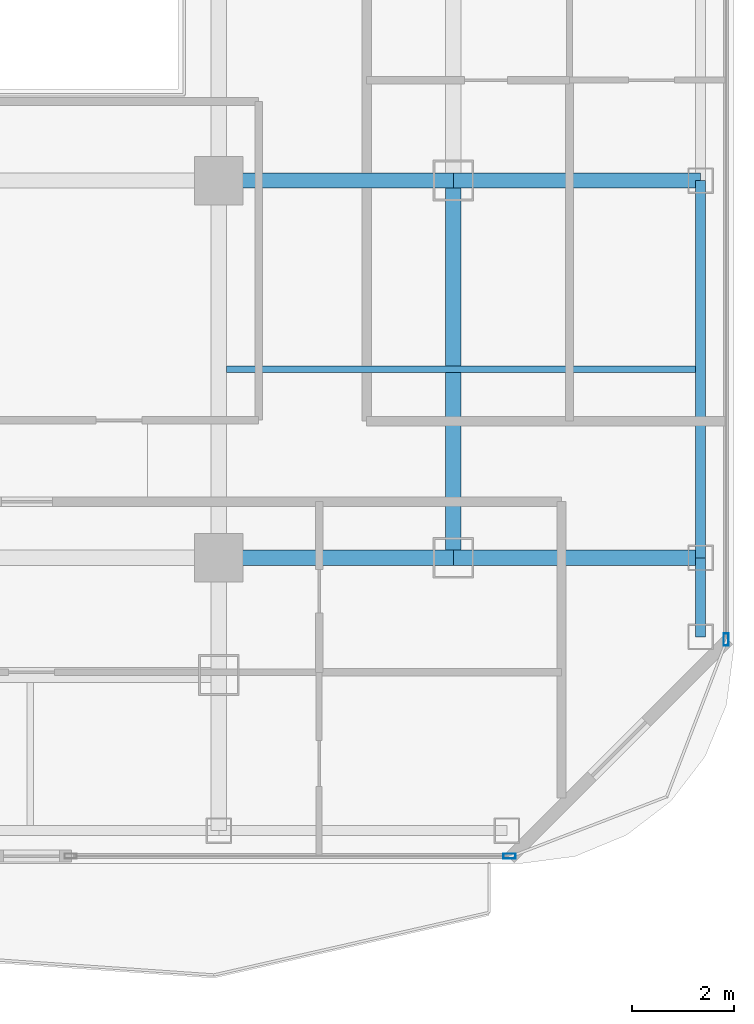
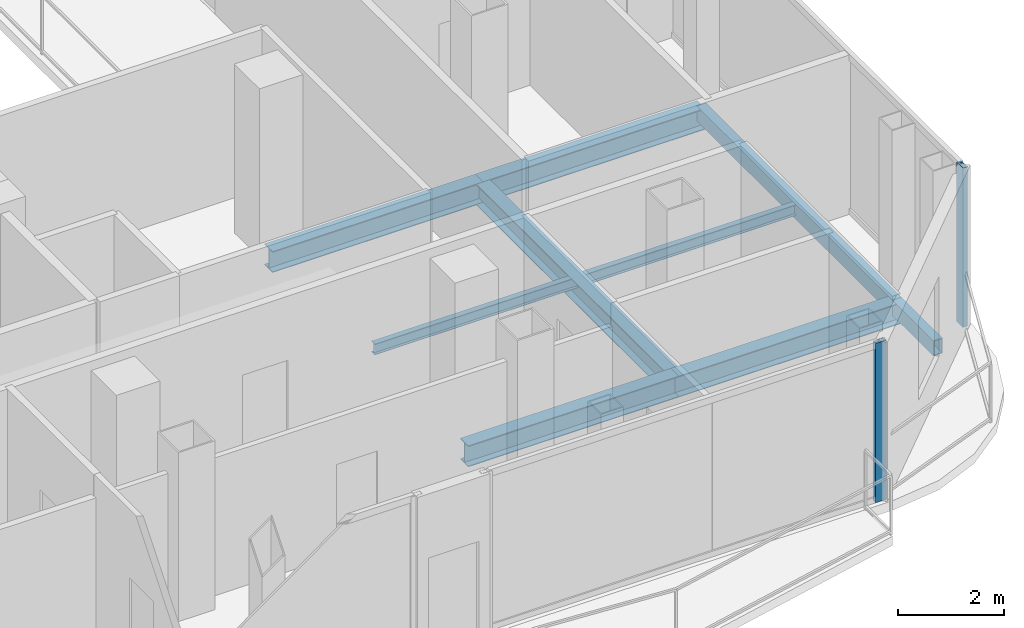
# One storey, part 7 of 22: 8 beams, 2 members, 2 elements without a shape of their own.
"""IFC4 building model written with IfcOpenShell, lengths in metres."""

import ifcopenshell
import ifcopenshell.guid

model = None  # the IFC model being written
_history = None  # IfcOwnerHistory: only IFC2X3 demands one
_inside = {}  # id of a spatial element -> (the spatial element, [elements in it])
_under = {}  # id of a project, library or spatial element -> (it, [spatial elements below it])
_declared = {}  # id of a project -> (the project, [libraries it declares])
_typed = {}  # id of a type object -> (the type object, [elements of that type])
_made_of = {}  # id of a material, layer set ... -> (it, [elements and type objects made of it])


def new_model(schema):
    """Start an empty IFC model of exactly this schema.

    Asked for "IFC4X3", IfcOpenShell would pick the latest addendum, in which some entities
    have other attributes; the version numbers below select the first issue.
    IFC2X3 requires an IfcOwnerHistory on every rooted entity: one is made here for all.
    """
    global model, _history
    if schema == "IFC4X3":
        model = ifcopenshell.file(schema_version=(4, 3, 0, 0))
    else:
        model = ifcopenshell.file(schema=schema)
    _inside.clear()
    _under.clear()
    _declared.clear()
    _typed.clear()
    _made_of.clear()
    _history = None
    if model.schema == "IFC2X3":
        org = make("IfcOrganization", Name="unknown")
        user = make(
            "IfcPersonAndOrganization",
            ThePerson=make("IfcPerson", FamilyName="unknown"),
            TheOrganization=org,
        )
        app = make(
            "IfcApplication",
            ApplicationDeveloper=org,
            Version="unknown",
            ApplicationFullName="unknown",
            ApplicationIdentifier="unknown",
        )
        _history = make(
            "IfcOwnerHistory",
            OwningUser=user,
            OwningApplication=app,
            ChangeAction="ADDED",
            CreationDate=0,
        )
    return model


def make(cls, **values):
    """One entity of the class cls with the attributes given. An attribute that is None is left unset."""
    return model.create_entity(
        cls, **{name: value for name, value in values.items() if value is not None}
    )


def rooted(cls, **values):
    """An entity with a GlobalId (a new one), such as an element, a storey or a relation."""
    return make(cls, GlobalId=ifcopenshell.guid.new(), OwnerHistory=_history, **values)


def si_unit(unit_type, name, prefix=None):
    """IfcSIUnit, for example si_unit("LENGTHUNIT", "METRE", prefix="MILLI")."""
    return make("IfcSIUnit", UnitType=unit_type, Prefix=prefix, Name=name)


def assignment(units):
    """IfcUnitAssignment: the units of a project."""
    return None if units is None else make("IfcUnitAssignment", Units=units)


def point(xyz):
    """IfcCartesianPoint."""
    return None if xyz is None else make("IfcCartesianPoint", Coordinates=xyz)


def direction(xyz):
    """IfcDirection."""
    return None if xyz is None else make("IfcDirection", DirectionRatios=xyz)


def frame(location, z_axis=None, x_axis=None):
    """IfcAxis2Placement3D, a coordinate frame: its origin and axes. An axis left out is left unset."""
    return make(
        "IfcAxis2Placement3D",
        Location=point(location),
        Axis=direction(z_axis),
        RefDirection=direction(x_axis),
    )


def frame_2d(location, x_axis=None):
    """IfcAxis2Placement2D, a coordinate frame in the plane: its origin and x axis."""
    return make(
        "IfcAxis2Placement2D", Location=point(location), RefDirection=direction(x_axis)
    )


def origin():
    """The frame at (0, 0, 0) with its axes left unset."""
    return frame((0.0, 0.0, 0.0))


def origin_2d():
    """The frame at (0, 0) in the plane with its x axis left unset."""
    return frame_2d((0.0, 0.0))


def place(relative_to, where):
    """IfcLocalPlacement: puts the frame where relative to a parent placement (None: the world)."""
    return make(
        "IfcLocalPlacement", PlacementRelTo=relative_to, RelativePlacement=where
    )


def context(
    kind, dimensions, precision=None, world=None, true_north=None, identifier=None
):
    """IfcGeometricRepresentationContext, for example the 3D "Model" context."""
    return make(
        "IfcGeometricRepresentationContext",
        ContextIdentifier=identifier,
        ContextType=kind,
        CoordinateSpaceDimension=dimensions,
        Precision=precision,
        WorldCoordinateSystem=world,
        TrueNorth=true_north,
    )


def subcontext(parent, identifier, kind, view, scale=None):
    """IfcGeometricRepresentationSubContext, for example "Body" below "Model"."""
    return make(
        "IfcGeometricRepresentationSubContext",
        ContextIdentifier=identifier,
        ContextType=kind,
        ParentContext=parent,
        TargetScale=scale,
        TargetView=view,
    )


def project(units=None, contexts=None):
    """IfcProject with its units and contexts."""
    return rooted(
        "IfcProject",
        Name="project",
        RepresentationContexts=contexts,
        UnitsInContext=assignment(units),
    )


def spatial(cls, under=None, at=None, **own):
    """A site, building, storey or space (cls), placed at a placement, below another one or the project."""
    s = rooted(cls, ObjectPlacement=at, **own)
    if under is not None:
        _under.setdefault(under.id(), (under, []))[1].append(s)
    return s


def profile(cls, at=None, kind="AREA", **sizes):
    """A parametric profile (cls). Its sizes go by their IFC names, for example OverallWidth=200.0."""
    return make(cls, ProfileType=kind, Position=at, **sizes)


def hollow_rectangle(**sizes):
    """IfcRectangleHollowProfileDef."""
    return profile("IfcRectangleHollowProfileDef", **sizes)


def i_section(**sizes):
    """IfcIShapeProfileDef."""
    return profile("IfcIShapeProfileDef", **sizes)


def extrude(swept, where, along, depth):
    """IfcExtrudedAreaSolid: the profile swept, set in the frame where, extruded along a direction by depth."""
    return make(
        "IfcExtrudedAreaSolid",
        SweptArea=swept,
        Position=where,
        ExtrudedDirection=direction(along),
        Depth=depth,
    )


def shape(context_of_items, identifier, shape_type, items):
    """IfcShapeRepresentation: the items that make up one representation, for example the "Body"."""
    return make(
        "IfcShapeRepresentation",
        ContextOfItems=context_of_items,
        RepresentationIdentifier=identifier,
        RepresentationType=shape_type,
        Items=items,
    )


def material(Name=None, Category=None):
    """IfcMaterial."""
    return make("IfcMaterial", Name=Name, Category=Category)


def layer(
    of_material, thickness, ventilated=None, Name=None, Category=None, Priority=None
):
    """IfcMaterialLayer: one layer of a wall or slab, of a material (None: an air gap)."""
    return make(
        "IfcMaterialLayer",
        Material=of_material,
        LayerThickness=thickness,
        IsVentilated=ventilated,
        Name=Name,
        Category=Category,
        Priority=Priority,
    )


def layer_set(layers, Name=None):
    """IfcMaterialLayerSet."""
    return make("IfcMaterialLayerSet", MaterialLayers=layers, LayerSetName=Name)


def material_profile(
    of_material, cross_section, Name=None, Category=None, Priority=None
):
    """IfcMaterialProfile: a cross section and its material."""
    return make(
        "IfcMaterialProfile",
        Name=Name,
        Material=of_material,
        Profile=cross_section,
        Priority=Priority,
        Category=Category,
    )


def profile_set(profiles, Name=None, composite=None):
    """IfcMaterialProfileSet."""
    return make(
        "IfcMaterialProfileSet",
        Name=Name,
        MaterialProfiles=profiles,
        CompositeProfile=composite,
    )


def made_of(thing, what):
    """Note that an element or type object is made of a material, layer set ...; save() writes the relation."""
    if what is not None:
        _made_of.setdefault(what.id(), (what, []))[1].append(thing)
    return thing


def type_object(cls, material=None, **own):
    """A type object (cls), such as IfcWallType, which elements share."""
    return made_of(rooted(cls, **own), material)


def element(
    cls,
    number,
    at=None,
    inside=None,
    cuts=None,
    type_object=None,
    material=None,
    context=None,
    identifier="Body",
    shape_type=None,
    held_by="IfcProductDefinitionShape",
    body=None,
    shapes=None,
    **own,
):
    """One element of the class cls, such as IfcWall. Its Tag is "e" and its number.

    at: its placement. inside: the storey or other place that contains it. cuts: it is an
    opening in that element (IfcRelVoidsElement). A single representation is given by context,
    identifier, shape_type and body (its items); several are given by shapes. held_by: the class
    of the entity that holds the representations. save() writes the other relations.
    """
    e = rooted(cls, Tag="e%d" % number, ObjectPlacement=at, **own)
    if body is not None:
        shapes = [shape(context, identifier, shape_type, body)]
    if shapes is not None:
        e.Representation = make(held_by, Representations=shapes)
    if inside is not None:
        _inside.setdefault(inside.id(), (inside, []))[1].append(e)
    if cuts is not None:
        rooted(
            "IfcRelVoidsElement", RelatingBuildingElement=cuts, RelatedOpeningElement=e
        )
    if type_object is not None:
        _typed.setdefault(type_object.id(), (type_object, []))[1].append(e)
    return made_of(e, material)


def aggregate(whole, parts):
    """IfcRelAggregates: a whole, such as a stair, and the parts it consists of."""
    return rooted("IfcRelAggregates", RelatingObject=whole, RelatedObjects=parts)


def save(model, path):
    """Write the relations noted so far, then the file.

    IfcRelAggregates (storeys below a building ...), IfcRelContainedInSpatialStructure (elements
    in a storey), IfcRelDefinesByType, IfcRelAssociatesMaterial and IfcRelDeclares: one each for
    every whole, place, type object, material and project.
    """
    for whole, parts in _under.values():
        aggregate(whole, parts)
    for where, things in _inside.values():
        rooted(
            "IfcRelContainedInSpatialStructure",
            RelatedElements=things,
            RelatingStructure=where,
        )
    for kind, things in _typed.values():
        rooted("IfcRelDefinesByType", RelatedObjects=things, RelatingType=kind)
    for what, things in _made_of.values():
        rooted("IfcRelAssociatesMaterial", RelatedObjects=things, RelatingMaterial=what)
    for by, libraries in _declared.values():
        rooted("IfcRelDeclares", RelatingContext=by, RelatedDefinitions=libraries)
    model.write(path)


model = new_model("IFC4")

# Units and contexts
model_context = context("Model", 3, precision=1e-05, world=origin(), true_north=direction((0.0, 1.0)))
body_context = subcontext(model_context, "Body", "Model", "MODEL_VIEW")
ifc_project = project(units=[si_unit("LENGTHUNIT", "METRE"), si_unit("AREAUNIT", "SQUARE_METRE"), si_unit("VOLUMEUNIT", "CUBIC_METRE"), si_unit("PLANEANGLEUNIT", "RADIAN"), si_unit("MASSUNIT", "GRAM", prefix="KILO")], contexts=[model_context])

# Site, building, storey
site_placement = place(None, origin())
site = spatial("IfcSite", under=ifc_project, at=site_placement, CompositionType="ELEMENT")
building_placement = place(site_placement, origin())
building = spatial("IfcBuilding", under=site, at=building_placement, Name="Khorvyn Point Tower", CompositionType="ELEMENT")
storey_placement = place(building_placement, frame((0.0, 0.0, 278.10009765625)))
storey = spatial("IfcBuildingStorey", under=building, at=storey_placement, Name="L68", CompositionType="ELEMENT", Elevation=278.10009765625)

# Curtain wall, member
ifc_material_1 = material(Name="Anodised aluminium 6063-T6 and laminated Low-E glass", Category="aluminium")
ifc_layer = layer(ifc_material_1, 0.18994140625)
ifc_layer_set = layer_set([ifc_layer], Name="Stick-Built High-Wind Curtain Wall CW-SYS-04")
curtain_wall_type = type_object("IfcCurtainWallType", Name="Stick-Built High-Wind Curtain Wall CW-SYS-04", PredefinedType="NOTDEFINED", material=ifc_layer_set)
curtain_wall_1_placement = place(storey_placement, origin())
curtain_wall_1 = element("IfcCurtainWall", 1, at=curtain_wall_1_placement, inside=storey, type_object=curtain_wall_type, Name="Curtain Wall", PredefinedType="NOTDEFINED")
ifc_material_2 = material(Name="Anodised aluminium 6063-T6", Category="aluminium")
ifc_material_profile_1 = material_profile(ifc_material_2, hollow_rectangle(XDim=0.10009765625, YDim=0.239990234375, WallThickness=0.0048828125, at=origin_2d()))
ifc_profile_set_1 = profile_set([ifc_material_profile_1], Name="Anodised aluminium 6063-T6 ALU-MUL-100x240")
member_type = type_object("IfcMemberType", Name="Anodised Aluminium 6063-T6 Mullion ALU-MUL-100x240", PredefinedType="MULLION", material=ifc_profile_set_1)
member_1_placement = place(storey_placement, frame((20.5, -20.64990234375, 0.0), z_axis=(0.0, 0.0, 1.0), x_axis=(0.0, -1.0, 0.0)))
member_1 = element("IfcMember", 2, at=member_1_placement, type_object=member_type, Name="Transom", PredefinedType="MULLION", context=body_context, shape_type="SweptSolid", body=[
    extrude(hollow_rectangle(XDim=0.10009765625, YDim=0.239990234375, WallThickness=0.0048828125, at=origin_2d()), origin(), (0.0, 0.0, 1.0), 3.679931640625),
])
aggregate(curtain_wall_1, [member_1])

curtain_wall_2_placement = place(storey_placement, origin())
curtain_wall_2 = element("IfcCurtainWall", 3, at=curtain_wall_2_placement, inside=storey, type_object=curtain_wall_type, Name="Curtain Wall", PredefinedType="NOTDEFINED")
member_2_placement = place(storey_placement, frame((24.75, -16.39990234375, 0.0), z_axis=(0.0, 0.0, 1.0), x_axis=(1.0, 0.0, 0.0)))
member_2 = element("IfcMember", 4, at=member_2_placement, type_object=member_type, Name="Transom", PredefinedType="MULLION", context=body_context, shape_type="SweptSolid", body=[
    extrude(hollow_rectangle(XDim=0.10009765625, YDim=0.239990234375, WallThickness=0.0048828125, at=origin_2d()), origin(), (0.0, 0.0, 1.0), 3.679931640625),
])
aggregate(curtain_wall_2, [member_2])

# Beams
ifc_material_3 = material(Name="Steel S355", Category="steel")
ifc_material_profile_2 = material_profile(ifc_material_3, i_section(OverallWidth=0.125, OverallDepth=0.25, WebThickness=0.006103515625, FlangeThickness=0.009033203125, at=origin_2d()))
ifc_profile_set_2 = profile_set([ifc_material_profile_2], Name="Steel S355 H250x125x6x9")
beam_type_1 = type_object("IfcBeamType", Name="Steel S355 Joist H250x125x6x9", PredefinedType="JOIST", material=ifc_profile_set_2)
beam_1_placement = place(storey_placement, frame((14.949951171875, -11.10009765625, -0.34521484375), z_axis=(1.0, 0.0, 0.0), x_axis=(0.0, 1.0, 0.0)))
element("IfcBeam", 5, at=beam_1_placement, inside=storey, type_object=beam_type_1, Name="Beam", PredefinedType="JOIST", context=body_context, shape_type="SweptSolid", body=[
    extrude(i_section(OverallWidth=0.125, OverallDepth=0.25, WebThickness=0.006103515625, FlangeThickness=0.009033203125, at=origin_2d()), origin(), (0.0, 0.0, 1.0), 9.199951171875),
])
ifc_material_profile_3 = material_profile(ifc_material_3, i_section(OverallWidth=0.300048828125, OverallDepth=0.488037109375, WebThickness=0.010986328125, FlangeThickness=0.01806640625, at=origin_2d()))
ifc_profile_set_3 = profile_set([ifc_material_profile_3], Name="Steel S355 H488x300x11x18")
beam_type_2 = type_object("IfcBeamType", Name="Steel S355 Spandrel H488x300x11x18", PredefinedType="SPANDREL", material=ifc_profile_set_3)
beam_2_placement = place(storey_placement, frame((14.800048828125, -14.800048828125, -0.464111328125), z_axis=(1.0, 0.0, 0.0), x_axis=(0.0, 1.0, 0.0)))
element("IfcBeam", 6, at=beam_2_placement, inside=storey, type_object=beam_type_2, Name="Beam", PredefinedType="SPANDREL", context=body_context, shape_type="SweptSolid", body=[
    extrude(i_section(OverallWidth=0.300048828125, OverallDepth=0.488037109375, WebThickness=0.010986328125, FlangeThickness=0.01806640625, at=origin_2d()), origin(), (0.0, 0.0, 1.0), 4.599853515625),
])
beam_3_placement = place(storey_placement, frame((19.39990234375, -14.800048828125, -0.464111328125), z_axis=(1.0, 0.0, 0.0), x_axis=(0.0, 1.0, 0.0)))
element("IfcBeam", 7, at=beam_3_placement, inside=storey, type_object=beam_type_2, Name="Beam", PredefinedType="SPANDREL", context=body_context, shape_type="SweptSolid", body=[
    extrude(i_section(OverallWidth=0.300048828125, OverallDepth=0.488037109375, WebThickness=0.010986328125, FlangeThickness=0.01806640625, at=origin_2d()), origin(), (0.0, 0.0, 1.0), 4.85009765625),
])
beam_4_placement = place(storey_placement, frame((14.800048828125, -7.39990234375, -0.464111328125), z_axis=(1.0, 0.0, 0.0), x_axis=(0.0, 1.0, 0.0)))
element("IfcBeam", 8, at=beam_4_placement, inside=storey, type_object=beam_type_2, Name="Beam", PredefinedType="SPANDREL", context=body_context, shape_type="SweptSolid", body=[
    extrude(i_section(OverallWidth=0.300048828125, OverallDepth=0.488037109375, WebThickness=0.010986328125, FlangeThickness=0.01806640625, at=origin_2d()), origin(), (0.0, 0.0, 1.0), 4.599853515625),
])
beam_5_placement = place(storey_placement, frame((19.39990234375, -7.39990234375, -0.464111328125), z_axis=(1.0, 0.0, 0.0), x_axis=(0.0, 1.0, 0.0)))
element("IfcBeam", 9, at=beam_5_placement, inside=storey, type_object=beam_type_2, Name="Beam", PredefinedType="SPANDREL", context=body_context, shape_type="SweptSolid", body=[
    extrude(i_section(OverallWidth=0.300048828125, OverallDepth=0.488037109375, WebThickness=0.010986328125, FlangeThickness=0.01806640625, at=origin_2d()), origin(), (0.0, 0.0, 1.0), 4.85009765625),
])
beam_6_placement = place(storey_placement, frame((19.39990234375, -14.800048828125, -0.464111328125), z_axis=(0.0, 1.0, 0.0), x_axis=(-1.0, 0.0, 0.0)))
element("IfcBeam", 10, at=beam_6_placement, inside=storey, type_object=beam_type_2, Name="Beam", PredefinedType="SPANDREL", context=body_context, shape_type="SweptSolid", body=[
    extrude(i_section(OverallWidth=0.300048828125, OverallDepth=0.488037109375, WebThickness=0.010986328125, FlangeThickness=0.01806640625, at=origin_2d()), origin(), (0.0, 0.0, 1.0), 7.400146484375),
])
ifc_material_profile_4 = material_profile(ifc_material_3, hollow_rectangle(XDim=0.199951171875, YDim=0.35009765625, WallThickness=0.013916015625, at=origin_2d()))
ifc_profile_set_4 = profile_set([ifc_material_profile_4], Name="Steel S355 RHS350x200x14")
beam_type_3 = type_object("IfcBeamType", Name="Steel S355 Spandrel RHS350x200x14", PredefinedType="SPANDREL", material=ifc_profile_set_4)
beam_7_placement = place(storey_placement, frame((24.25, -16.35009765625, -0.39501953125), z_axis=(0.0, 1.0, 0.0), x_axis=(-1.0, 0.0, 0.0)))
element("IfcBeam", 11, at=beam_7_placement, inside=storey, type_object=beam_type_3, Name="Beam", PredefinedType="SPANDREL", context=body_context, shape_type="SweptSolid", body=[
    extrude(hollow_rectangle(XDim=0.199951171875, YDim=0.35009765625, WallThickness=0.013916015625, at=origin_2d()), origin(), (0.0, 0.0, 1.0), 1.550048828125),
])
beam_8_placement = place(storey_placement, frame((24.25, -14.800048828125, -0.39501953125), z_axis=(0.0, 1.0, 0.0), x_axis=(-1.0, 0.0, 0.0)))
element("IfcBeam", 12, at=beam_8_placement, inside=storey, type_object=beam_type_3, Name="Beam", PredefinedType="SPANDREL", context=body_context, shape_type="SweptSolid", body=[
    extrude(hollow_rectangle(XDim=0.199951171875, YDim=0.35009765625, WallThickness=0.013916015625, at=origin_2d()), origin(), (0.0, 0.0, 1.0), 7.400146484375),
])

save(model, "model.ifc")
